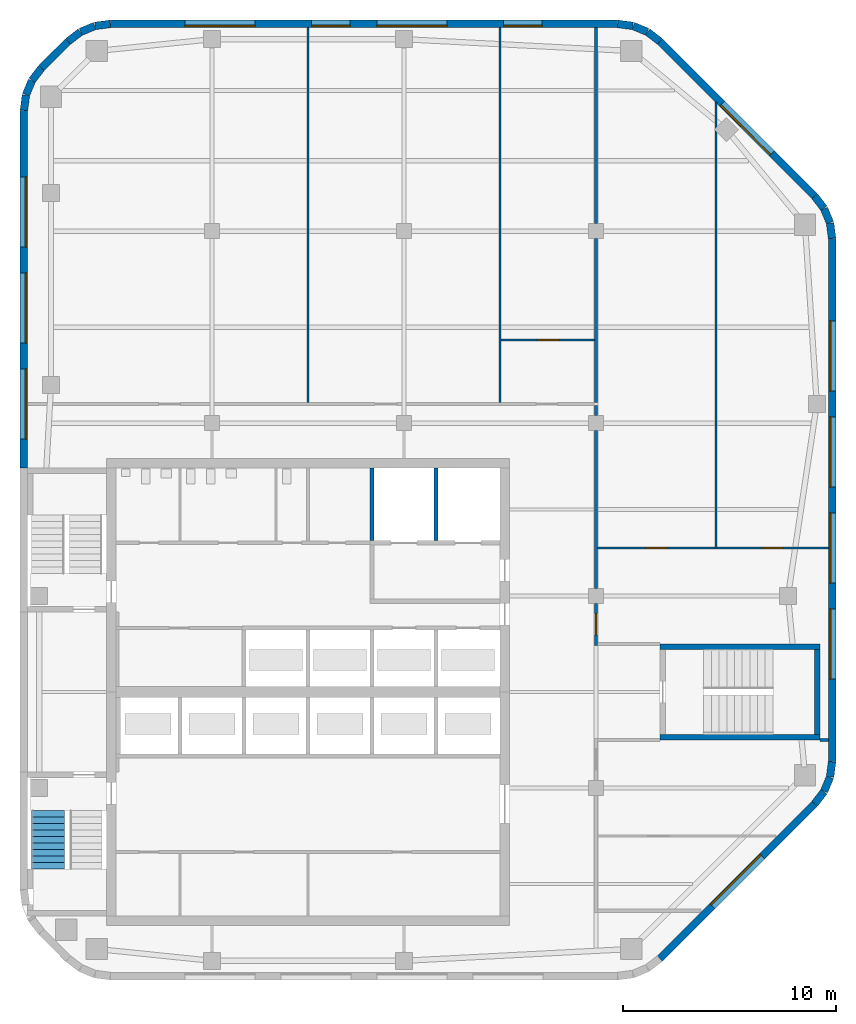
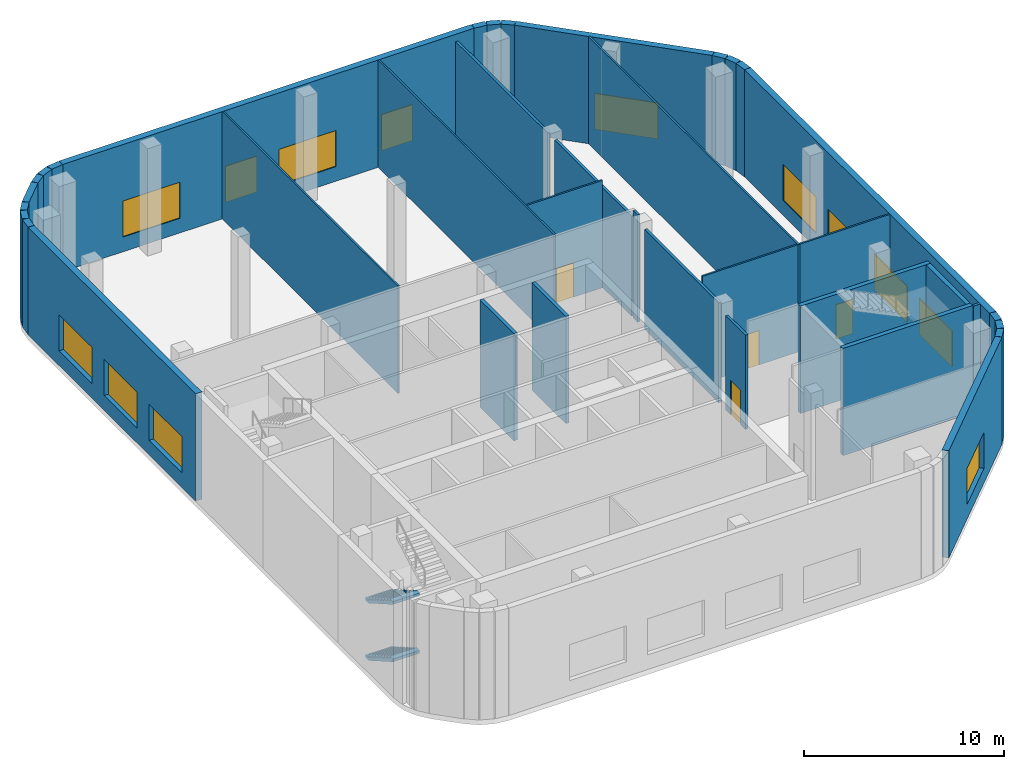
# One storey, part 4 of 8: 38 walls, 13 windows, 4 doors, 2 stair flights, 17 openings, 1 element without a shape of its own.
"""IFC4 building model written with IfcOpenShell, lengths in metres."""

from ifc_helpers import new_model, si_unit, direction, frame, frame_2d, origin, place, context, subcontext, project, spatial, polyline, rectangle, outline, extrude, material, layer, layer_set, type_object, element, fill, aggregate, save


model = new_model("IFC4")

# Units and contexts
model_context = context("Model", 3, precision=1e-05, world=origin(), true_north=direction((0.0, 1.0)))
body_context = subcontext(model_context, "Body", "Model", "MODEL_VIEW")
ifc_project = project(units=[si_unit("LENGTHUNIT", "METRE"), si_unit("AREAUNIT", "SQUARE_METRE"), si_unit("VOLUMEUNIT", "CUBIC_METRE"), si_unit("PLANEANGLEUNIT", "RADIAN"), si_unit("MASSUNIT", "GRAM", prefix="KILO")], contexts=[model_context])

# Site, building, storey
site_placement = place(None, origin())
site = spatial("IfcSite", under=ifc_project, at=site_placement, CompositionType="ELEMENT")
building_placement = place(site_placement, origin())
building = spatial("IfcBuilding", under=site, at=building_placement, Name="Cinnabar Reach Civic Tower", CompositionType="ELEMENT")
storey_placement = place(building_placement, frame((0.0, 0.0, 291.0)))
storey = spatial("IfcBuildingStorey", under=building, at=storey_placement, Name="L69", CompositionType="ELEMENT", Elevation=291.0)

# Walls
ifc_material_1 = material(Name="Facing brick with insulated backing", Category="masonry")
ifc_layer_1 = layer(ifc_material_1, 0.36)
ifc_layer_set_1 = layer_set([ifc_layer_1], Name="Brick corner wall")
wall_type_1 = type_object("IfcWallType", Name="Brick corner wall", PredefinedType="STANDARD", material=ifc_layer_set_1)
wall_1_placement = place(storey_placement, frame((37.2498, 26.2587, 0.0), z_axis=(0.0, 0.0, 1.0), x_axis=(0.608802368033, 0.793321924995, 0.0)))
element("IfcWall", 1, at=wall_1_placement, inside=storey, type_object=wall_type_1, Name="Brick corner wall", PredefinedType="STANDARD", context=body_context, shape_type="SweptSolid", body=[
    extrude(rectangle(XDim=0.7132, YDim=0.36, at=frame_2d((0.3566, 0.0))), origin(), (0.0, 0.0, 1.0), 6.55),
])
for number, where, z_axis, x_axis, name in (
    (2, (37.6952, 26.8439, 0.0), (0.0, 0.0, 1.0), (0.382702709855, 0.923871547278, 0.0), "Brick corner wall"),
    (3, (37.9739, 27.5244, 0.0), (0.0, 0.0, 1.0), (0.13055608231, 0.99144092581, 0.0), "Brick corner wall"),
    (4, (38.067, 52.7686, 0.0), (0.0, 0.0, 1.0), (-0.13055608231, 0.99144092581, 0.0), "Brick corner wall"),
    (5, (37.9681, 53.4973, 0.0), (0.0, 0.0, 1.0), (-0.382702709855, 0.923871547278, 0.0), "Brick corner wall"),
):
    element("IfcWall", number, at=place(storey_placement, frame(where, z_axis=z_axis, x_axis=x_axis)), inside=storey, type_object=wall_type_1, Name=name, PredefinedType="STANDARD", context=body_context, shape_type="SweptSolid", body=[
        extrude(rectangle(XDim=0.7131, YDim=0.36, at=frame_2d((0.3565, 0.0))), origin(), (0.0, 0.0, 1.0), 6.55),
    ])
for number, where, z_axis, x_axis, name in (
    (6, (37.684, 54.1755, 0.0), (0.0, 0.0, 1.0), (-0.608802368033, 0.793321924995, 0.0), "Brick corner wall"),
    (7, (29.9913, 61.9998, 0.0), (0.0, 0.0, 1.0), (-0.793321924995, 0.608802368033, 0.0), "Brick corner wall"),
):
    element("IfcWall", number, at=place(storey_placement, frame(where, z_axis=z_axis, x_axis=x_axis)), inside=storey, type_object=wall_type_1, Name=name, PredefinedType="STANDARD", context=body_context, shape_type="SweptSolid", body=[
        extrude(rectangle(XDim=0.7132, YDim=0.36, at=frame_2d((0.3566, 0.0))), origin(), (0.0, 0.0, 1.0), 6.55),
    ])
for number, where, z_axis, x_axis, name in (
    (8, (29.4061, 62.4452, 0.0), (0.0, 0.0, 1.0), (-0.923871547278, 0.382702709855, 0.0), "Brick corner wall"),
    (9, (28.7256, 62.7239, 0.0), (0.0, 0.0, 1.0), (-0.99144092581, 0.13055608231, 0.0), "Brick corner wall"),
    (10, (4.2314, 62.817, 0.0), (0.0, 0.0, 1.0), (-0.99144092581, -0.13055608231, 0.0), "Brick corner wall"),
    (11, (3.5027, 62.7181, 0.0), (0.0, 0.0, 1.0), (-0.923871547278, -0.382702709855, 0.0), "Brick corner wall"),
):
    element("IfcWall", number, at=place(storey_placement, frame(where, z_axis=z_axis, x_axis=x_axis)), inside=storey, type_object=wall_type_1, Name=name, PredefinedType="STANDARD", context=body_context, shape_type="SweptSolid", body=[
        extrude(rectangle(XDim=0.7131, YDim=0.36, at=frame_2d((0.3565, 0.0))), origin(), (0.0, 0.0, 1.0), 6.55),
    ])
for number, where, z_axis, x_axis, name in (
    (12, (2.8245, 62.434, 0.0), (0.0, 0.0, 1.0), (-0.793321924995, -0.608802368033, 0.0), "Brick corner wall"),
    (13, (1.0002, 60.7413, 0.0), (0.0, 0.0, 1.0), (-0.608802368033, -0.793321924995, 0.0), "Brick corner wall"),
):
    element("IfcWall", number, at=place(storey_placement, frame(where, z_axis=z_axis, x_axis=x_axis)), inside=storey, type_object=wall_type_1, Name=name, PredefinedType="STANDARD", context=body_context, shape_type="SweptSolid", body=[
        extrude(rectangle(XDim=0.7132, YDim=0.36, at=frame_2d((0.3566, 0.0))), origin(), (0.0, 0.0, 1.0), 6.55),
    ])
for number, where, z_axis, x_axis, name in (
    (14, (0.5548, 60.1561, 0.0), (0.0, 0.0, 1.0), (-0.382702709855, -0.923871547278, 0.0), "Brick corner wall"),
    (15, (0.2761, 59.4756, 0.0), (0.0, 0.0, 1.0), (-0.13055608231, -0.99144092581, 0.0), "Brick corner wall"),
):
    element("IfcWall", number, at=place(storey_placement, frame(where, z_axis=z_axis, x_axis=x_axis)), inside=storey, type_object=wall_type_1, Name=name, PredefinedType="STANDARD", context=body_context, shape_type="SweptSolid", body=[
        extrude(rectangle(XDim=0.7131, YDim=0.36, at=frame_2d((0.3565, 0.0))), origin(), (0.0, 0.0, 1.0), 6.55),
    ])

# Wall, opening, window
ifc_layer_2 = layer(ifc_material_1, 0.36)
ifc_layer_set_2 = layer_set([ifc_layer_2], Name="Brick pier and spandrel wall")
wall_type_2 = type_object("IfcWallType", Name="Brick pier and spandrel wall", PredefinedType="STANDARD", material=ifc_layer_set_2)
wall_2_placement = place(storey_placement, frame((30.0014, 19.006, 0.0), z_axis=(0.0, 0.0, 1.0), x_axis=(0.707106781187, 0.707106781187, 0.0)))
wall_2 = element("IfcWall", 16, at=wall_2_placement, inside=storey, type_object=wall_type_2, Name="Brick facade wall", PredefinedType="STANDARD", context=body_context, shape_type="SweptSolid", body=[
    extrude(rectangle(XDim=10.2426, YDim=0.36, at=frame_2d((5.1213, 0.0))), origin(), (0.0, 0.0, 1.0), 6.55),
])
opening_1_placement = place(wall_2_placement, frame((3.4713, 0.0, 0.9)))
opening_1 = element("IfcOpeningElement", 17, at=opening_1_placement, cuts=wall_2, Name="Opening W2337", PredefinedType="OPENING", context=body_context, shape_type="SweptSolid", body=[
    extrude(rectangle(XDim=3.3, YDim=2.2, at=frame_2d((1.65, 1.1))), frame((0.0, 0.19, 0.0), z_axis=(0.0, -1.0, 0.0), x_axis=(1.0, 0.0, 0.0)), (0.0, 0.0, 1.0), 0.38),
])
ifc_material_2 = material(Name="Clear double glazing in aluminium frame", Category="aluminium")
window_type_1 = type_object("IfcWindowType", Name="Deep-set window B", PartitioningType="SINGLE_PANEL", PredefinedType="WINDOW", material=ifc_material_2)
window_1_placement = place(opening_1_placement, origin())
window_1 = element("IfcWindow", 18, at=window_1_placement, inside=storey, type_object=window_type_1, Name="Window southeast face", OverallHeight=2.2, OverallWidth=3.3, PartitioningType="SINGLE_PANEL", PredefinedType="WINDOW", context=body_context, shape_type="SweptSolid", body=[
    extrude(rectangle(XDim=3.3, YDim=2.2, at=frame_2d((1.65, 1.1))), frame((0.0, 0.13, 0.0), z_axis=(0.0, -1.0, 0.0), x_axis=(1.0, 0.0, 0.0)), (0.0, 0.0, 1.0), 0.06),
])
fill(opening_1, window_1)

# Wall, openings, windows
wall_3_placement = place(storey_placement, frame((38.07, 28.2426, 0.0), z_axis=(0.0, 0.0, 1.0), x_axis=(0.0, 1.0, 0.0)))
wall_3 = element("IfcWall", 19, at=wall_3_placement, inside=storey, type_object=wall_type_2, Name="Brick facade wall", PredefinedType="STANDARD", context=body_context, shape_type="SweptSolid", body=[
    extrude(rectangle(XDim=24.5148, YDim=0.36, at=frame_2d((12.2574, 0.0))), origin(), (0.0, 0.0, 1.0), 6.55),
])
opening_2_placement = place(wall_3_placement, frame((3.8574, 0.0, 0.9)))
opening_2 = element("IfcOpeningElement", 20, at=opening_2_placement, cuts=wall_3, Name="Opening W2338", PredefinedType="OPENING", context=body_context, shape_type="SweptSolid", body=[
    extrude(rectangle(XDim=3.3, YDim=2.2, at=frame_2d((1.65, 1.1))), frame((0.0, 0.19, 0.0), z_axis=(0.0, -1.0, 0.0), x_axis=(1.0, 0.0, 0.0)), (0.0, 0.0, 1.0), 0.38),
])
opening_3_placement = place(wall_3_placement, frame((8.3574, 0.0, 0.9)))
opening_3 = element("IfcOpeningElement", 21, at=opening_3_placement, cuts=wall_3, Name="Opening W2339", PredefinedType="OPENING", context=body_context, shape_type="SweptSolid", body=[
    extrude(rectangle(XDim=3.3, YDim=2.2, at=frame_2d((1.65, 1.1))), frame((0.0, 0.19, 0.0), z_axis=(0.0, -1.0, 0.0), x_axis=(1.0, 0.0, 0.0)), (0.0, 0.0, 1.0), 0.38),
])
opening_4_placement = place(wall_3_placement, frame((12.8574, 0.0, 0.9)))
opening_4 = element("IfcOpeningElement", 22, at=opening_4_placement, cuts=wall_3, Name="Opening W2340", PredefinedType="OPENING", context=body_context, shape_type="SweptSolid", body=[
    extrude(rectangle(XDim=3.3, YDim=2.2, at=frame_2d((1.65, 1.1))), frame((0.0, 0.19, 0.0), z_axis=(0.0, -1.0, 0.0), x_axis=(1.0, 0.0, 0.0)), (0.0, 0.0, 1.0), 0.38),
])
opening_5_placement = place(wall_3_placement, frame((17.3574, 0.0, 0.9)))
opening_5 = element("IfcOpeningElement", 23, at=opening_5_placement, cuts=wall_3, Name="Opening W2341", PredefinedType="OPENING", context=body_context, shape_type="SweptSolid", body=[
    extrude(rectangle(XDim=3.3, YDim=2.2, at=frame_2d((1.65, 1.1))), frame((0.0, 0.19, 0.0), z_axis=(0.0, -1.0, 0.0), x_axis=(1.0, 0.0, 0.0)), (0.0, 0.0, 1.0), 0.38),
])
window_2_placement = place(opening_2_placement, origin())
window_2 = element("IfcWindow", 24, at=window_2_placement, inside=storey, type_object=window_type_1, Name="Window east face", OverallHeight=2.2, OverallWidth=3.3, PartitioningType="SINGLE_PANEL", PredefinedType="WINDOW", context=body_context, shape_type="SweptSolid", body=[
    extrude(rectangle(XDim=3.3, YDim=2.2, at=frame_2d((1.65, 1.1))), frame((0.0, 0.13, 0.0), z_axis=(0.0, -1.0, 0.0), x_axis=(1.0, 0.0, 0.0)), (0.0, 0.0, 1.0), 0.06),
])
fill(opening_2, window_2)
window_3_placement = place(opening_3_placement, origin())
window_3 = element("IfcWindow", 25, at=window_3_placement, inside=storey, type_object=window_type_1, Name="Window east face", OverallHeight=2.2, OverallWidth=3.3, PartitioningType="SINGLE_PANEL", PredefinedType="WINDOW", context=body_context, shape_type="SweptSolid", body=[
    extrude(rectangle(XDim=3.3, YDim=2.2, at=frame_2d((1.65, 1.1))), frame((0.0, 0.13, 0.0), z_axis=(0.0, -1.0, 0.0), x_axis=(1.0, 0.0, 0.0)), (0.0, 0.0, 1.0), 0.06),
])
fill(opening_3, window_3)
window_4_placement = place(opening_4_placement, origin())
window_4 = element("IfcWindow", 26, at=window_4_placement, inside=storey, type_object=window_type_1, Name="Window east face", OverallHeight=2.2, OverallWidth=3.3, PartitioningType="SINGLE_PANEL", PredefinedType="WINDOW", context=body_context, shape_type="SweptSolid", body=[
    extrude(rectangle(XDim=3.3, YDim=2.2, at=frame_2d((1.65, 1.1))), frame((0.0, 0.13, 0.0), z_axis=(0.0, -1.0, 0.0), x_axis=(1.0, 0.0, 0.0)), (0.0, 0.0, 1.0), 0.06),
])
fill(opening_4, window_4)
window_5_placement = place(opening_5_placement, origin())
window_5 = element("IfcWindow", 27, at=window_5_placement, inside=storey, type_object=window_type_1, Name="Window east face", OverallHeight=2.2, OverallWidth=3.3, PartitioningType="SINGLE_PANEL", PredefinedType="WINDOW", context=body_context, shape_type="SweptSolid", body=[
    extrude(rectangle(XDim=3.3, YDim=2.2, at=frame_2d((1.65, 1.1))), frame((0.0, 0.13, 0.0), z_axis=(0.0, -1.0, 0.0), x_axis=(1.0, 0.0, 0.0)), (0.0, 0.0, 1.0), 0.06),
])
fill(opening_5, window_5)

# Wall, opening, window
wall_4_placement = place(storey_placement, frame((37.244, 54.7514, 0.0), z_axis=(0.0, 0.0, 1.0), x_axis=(-0.707106781187, 0.707106781187, 0.0)))
wall_4 = element("IfcWall", 28, at=wall_4_placement, inside=storey, type_object=wall_type_2, Name="Brick facade wall", PredefinedType="STANDARD", context=body_context, shape_type="SweptSolid", body=[
    extrude(rectangle(XDim=10.2426, YDim=0.36, at=frame_2d((5.1213, 0.0))), origin(), (0.0, 0.0, 1.0), 6.55),
])
opening_6_placement = place(wall_4_placement, frame((2.8213, 0.0, 0.9)))
opening_6 = element("IfcOpeningElement", 29, at=opening_6_placement, cuts=wall_4, Name="Opening W2342", PredefinedType="OPENING", context=body_context, shape_type="SweptSolid", body=[
    extrude(rectangle(XDim=3.3, YDim=2.2, at=frame_2d((1.65, 1.1))), frame((0.0, 0.19, 0.0), z_axis=(0.0, -1.0, 0.0), x_axis=(1.0, 0.0, 0.0)), (0.0, 0.0, 1.0), 0.38),
])
window_6_placement = place(opening_6_placement, origin())
window_6 = element("IfcWindow", 30, at=window_6_placement, inside=storey, type_object=window_type_1, Name="Window northeast face", OverallHeight=2.2, OverallWidth=3.3, PartitioningType="SINGLE_PANEL", PredefinedType="WINDOW", context=body_context, shape_type="SweptSolid", body=[
    extrude(rectangle(XDim=3.3, YDim=2.2, at=frame_2d((1.65, 1.1))), frame((0.0, 0.13, 0.0), z_axis=(0.0, -1.0, 0.0), x_axis=(1.0, 0.0, 0.0)), (0.0, 0.0, 1.0), 0.06),
])
fill(opening_6, window_6)

# Wall, openings, windows
wall_5_placement = place(storey_placement, frame((28.0074, 62.82, 0.0), z_axis=(0.0, 0.0, 1.0), x_axis=(-1.0, 0.0, 0.0)))
wall_5 = element("IfcWall", 31, at=wall_5_placement, inside=storey, type_object=wall_type_2, Name="Brick facade wall", PredefinedType="STANDARD", context=body_context, shape_type="SweptSolid", body=[
    extrude(rectangle(XDim=23.7648, YDim=0.36, at=frame_2d((11.8824, 0.0))), origin(), (0.0, 0.0, 1.0), 6.55),
])
opening_7_placement = place(wall_5_placement, frame((3.5324, 0.0, 0.9)))
opening_7 = element("IfcOpeningElement", 32, at=opening_7_placement, cuts=wall_5, Name="Opening W2343", PredefinedType="OPENING", context=body_context, shape_type="SweptSolid", body=[
    extrude(rectangle(XDim=1.8, YDim=2.2, at=frame_2d((0.9, 1.1))), frame((0.0, 0.19, 0.0), z_axis=(0.0, -1.0, 0.0), x_axis=(1.0, 0.0, 0.0)), (0.0, 0.0, 1.0), 0.38),
])
opening_8_placement = place(wall_5_placement, frame((7.9824, 0.0, 0.9)))
opening_8 = element("IfcOpeningElement", 33, at=opening_8_placement, cuts=wall_5, Name="Opening W2344", PredefinedType="OPENING", context=body_context, shape_type="SweptSolid", body=[
    extrude(rectangle(XDim=3.3, YDim=2.2, at=frame_2d((1.65, 1.1))), frame((0.0, 0.19, 0.0), z_axis=(0.0, -1.0, 0.0), x_axis=(1.0, 0.0, 0.0)), (0.0, 0.0, 1.0), 0.38),
])
opening_9_placement = place(wall_5_placement, frame((12.5324, 0.0, 0.9)))
opening_9 = element("IfcOpeningElement", 34, at=opening_9_placement, cuts=wall_5, Name="Opening W2345", PredefinedType="OPENING", context=body_context, shape_type="SweptSolid", body=[
    extrude(rectangle(XDim=1.8, YDim=2.2, at=frame_2d((0.9, 1.1))), frame((0.0, 0.19, 0.0), z_axis=(0.0, -1.0, 0.0), x_axis=(1.0, 0.0, 0.0)), (0.0, 0.0, 1.0), 0.38),
])
opening_10_placement = place(wall_5_placement, frame((16.9824, 0.0, 0.9)))
opening_10 = element("IfcOpeningElement", 35, at=opening_10_placement, cuts=wall_5, Name="Opening W2346", PredefinedType="OPENING", context=body_context, shape_type="SweptSolid", body=[
    extrude(rectangle(XDim=3.3, YDim=2.2, at=frame_2d((1.65, 1.1))), frame((0.0, 0.19, 0.0), z_axis=(0.0, -1.0, 0.0), x_axis=(1.0, 0.0, 0.0)), (0.0, 0.0, 1.0), 0.38),
])
window_7_placement = place(opening_8_placement, origin())
window_7 = element("IfcWindow", 36, at=window_7_placement, inside=storey, type_object=window_type_1, Name="Window north face", OverallHeight=2.2, OverallWidth=3.3, PartitioningType="SINGLE_PANEL", PredefinedType="WINDOW", context=body_context, shape_type="SweptSolid", body=[
    extrude(rectangle(XDim=3.3, YDim=2.2, at=frame_2d((1.65, 1.1))), frame((0.0, 0.13, 0.0), z_axis=(0.0, -1.0, 0.0), x_axis=(1.0, 0.0, 0.0)), (0.0, 0.0, 1.0), 0.06),
])
fill(opening_8, window_7)
window_8_placement = place(opening_10_placement, origin())
window_8 = element("IfcWindow", 37, at=window_8_placement, inside=storey, type_object=window_type_1, Name="Window north face", OverallHeight=2.2, OverallWidth=3.3, PartitioningType="SINGLE_PANEL", PredefinedType="WINDOW", context=body_context, shape_type="SweptSolid", body=[
    extrude(rectangle(XDim=3.3, YDim=2.2, at=frame_2d((1.65, 1.1))), frame((0.0, 0.13, 0.0), z_axis=(0.0, -1.0, 0.0), x_axis=(1.0, 0.0, 0.0)), (0.0, 0.0, 1.0), 0.06),
])
fill(opening_10, window_8)
window_type_2 = type_object("IfcWindowType", Name="Deep-set window E", PartitioningType="SINGLE_PANEL", PredefinedType="WINDOW", material=ifc_material_2)
window_9_placement = place(opening_7_placement, origin())
window_9 = element("IfcWindow", 38, at=window_9_placement, inside=storey, type_object=window_type_2, Name="Window north face", OverallHeight=2.2, OverallWidth=1.8, PartitioningType="SINGLE_PANEL", PredefinedType="WINDOW", context=body_context, shape_type="SweptSolid", body=[
    extrude(rectangle(XDim=1.8, YDim=2.2, at=frame_2d((0.9, 1.1))), frame((0.0, 0.13, 0.0), z_axis=(0.0, -1.0, 0.0), x_axis=(1.0, 0.0, 0.0)), (0.0, 0.0, 1.0), 0.06),
])
fill(opening_7, window_9)
window_10_placement = place(opening_9_placement, origin())
window_10 = element("IfcWindow", 39, at=window_10_placement, inside=storey, type_object=window_type_2, Name="Window north face", OverallHeight=2.2, OverallWidth=1.8, PartitioningType="SINGLE_PANEL", PredefinedType="WINDOW", context=body_context, shape_type="SweptSolid", body=[
    extrude(rectangle(XDim=1.8, YDim=2.2, at=frame_2d((0.9, 1.1))), frame((0.0, 0.13, 0.0), z_axis=(0.0, -1.0, 0.0), x_axis=(1.0, 0.0, 0.0)), (0.0, 0.0, 1.0), 0.06),
])
fill(opening_9, window_10)

# Wall
wall_6_placement = place(storey_placement, frame((2.2486, 61.994, 0.0), z_axis=(0.0, 0.0, 1.0), x_axis=(-0.707106781187, -0.707106781187, 0.0)))
element("IfcWall", 40, at=wall_6_placement, inside=storey, type_object=wall_type_2, Name="Brick facade wall", PredefinedType="STANDARD", context=body_context, shape_type="SweptSolid", body=[
    extrude(rectangle(XDim=1.7573, YDim=0.36, at=frame_2d((0.8787, 0.0))), origin(), (0.0, 0.0, 1.0), 6.55),
])

# Wall, openings, windows
wall_7_placement = place(storey_placement, frame((0.18, 58.7574, 0.0), z_axis=(0.0, 0.0, 1.0), x_axis=(0.0, -1.0, 0.0)))
wall_7 = element("IfcWall", 41, at=wall_7_placement, inside=storey, type_object=wall_type_2, Name="Brick facade wall", PredefinedType="STANDARD", context=body_context, shape_type="SweptSolid", body=[
    extrude(rectangle(XDim=16.7574, YDim=0.36, at=frame_2d((8.3787, 0.0))), origin(), (0.0, 0.0, 1.0), 6.55),
])
opening_11_placement = place(wall_7_placement, frame((3.1074, 0.0, 0.9)))
opening_11 = element("IfcOpeningElement", 42, at=opening_11_placement, cuts=wall_7, Name="Opening W2347", PredefinedType="OPENING", context=body_context, shape_type="SweptSolid", body=[
    extrude(rectangle(XDim=3.3, YDim=2.2, at=frame_2d((1.65, 1.1))), frame((0.0, 0.19, 0.0), z_axis=(0.0, -1.0, 0.0), x_axis=(1.0, 0.0, 0.0)), (0.0, 0.0, 1.0), 0.38),
])
opening_12_placement = place(wall_7_placement, frame((7.6074, 0.0, 0.9)))
opening_12 = element("IfcOpeningElement", 43, at=opening_12_placement, cuts=wall_7, Name="Opening W2348", PredefinedType="OPENING", context=body_context, shape_type="SweptSolid", body=[
    extrude(rectangle(XDim=3.3, YDim=2.2, at=frame_2d((1.65, 1.1))), frame((0.0, 0.19, 0.0), z_axis=(0.0, -1.0, 0.0), x_axis=(1.0, 0.0, 0.0)), (0.0, 0.0, 1.0), 0.38),
])
opening_13_placement = place(wall_7_placement, frame((12.1074, 0.0, 0.9)))
opening_13 = element("IfcOpeningElement", 44, at=opening_13_placement, cuts=wall_7, Name="Opening W2349", PredefinedType="OPENING", context=body_context, shape_type="SweptSolid", body=[
    extrude(rectangle(XDim=3.3, YDim=2.2, at=frame_2d((1.65, 1.1))), frame((0.0, 0.19, 0.0), z_axis=(0.0, -1.0, 0.0), x_axis=(1.0, 0.0, 0.0)), (0.0, 0.0, 1.0), 0.38),
])
window_11_placement = place(opening_11_placement, origin())
window_11 = element("IfcWindow", 45, at=window_11_placement, inside=storey, type_object=window_type_1, Name="Window west face", OverallHeight=2.2, OverallWidth=3.3, PartitioningType="SINGLE_PANEL", PredefinedType="WINDOW", context=body_context, shape_type="SweptSolid", body=[
    extrude(rectangle(XDim=3.3, YDim=2.2, at=frame_2d((1.65, 1.1))), frame((0.0, 0.13, 0.0), z_axis=(0.0, -1.0, 0.0), x_axis=(1.0, 0.0, 0.0)), (0.0, 0.0, 1.0), 0.06),
])
fill(opening_11, window_11)
window_12_placement = place(opening_12_placement, origin())
window_12 = element("IfcWindow", 46, at=window_12_placement, inside=storey, type_object=window_type_1, Name="Window west face", OverallHeight=2.2, OverallWidth=3.3, PartitioningType="SINGLE_PANEL", PredefinedType="WINDOW", context=body_context, shape_type="SweptSolid", body=[
    extrude(rectangle(XDim=3.3, YDim=2.2, at=frame_2d((1.65, 1.1))), frame((0.0, 0.13, 0.0), z_axis=(0.0, -1.0, 0.0), x_axis=(1.0, 0.0, 0.0)), (0.0, 0.0, 1.0), 0.06),
])
fill(opening_12, window_12)
window_13_placement = place(opening_13_placement, origin())
window_13 = element("IfcWindow", 47, at=window_13_placement, inside=storey, type_object=window_type_1, Name="Window west face", OverallHeight=2.2, OverallWidth=3.3, PartitioningType="SINGLE_PANEL", PredefinedType="WINDOW", context=body_context, shape_type="SweptSolid", body=[
    extrude(rectangle(XDim=3.3, YDim=2.2, at=frame_2d((1.65, 1.1))), frame((0.0, 0.13, 0.0), z_axis=(0.0, -1.0, 0.0), x_axis=(1.0, 0.0, 0.0)), (0.0, 0.0, 1.0), 0.06),
])
fill(opening_13, window_13)

# Wall, opening, door
ifc_material_3 = material(Name="Gypsum board on steel studs, double layer", Category="steel")
ifc_layer_3 = layer(ifc_material_3, 0.15)
ifc_layer_set_3 = layer_set([ifc_layer_3], Name="Corridor wall 150 T1")
wall_type_3 = type_object("IfcWallType", Name="Corridor wall 150 T1", PredefinedType="PARTITIONING", material=ifc_layer_set_3)
wall_8_placement = place(storey_placement, frame((27.0, 33.675, 0.0), z_axis=(0.0, 0.0, 1.0), x_axis=(0.0, 1.0, 0.0)))
wall_8 = element("IfcWall", 48, at=wall_8_placement, inside=storey, type_object=wall_type_3, Name="Corridor wall 21", PredefinedType="PARTITIONING", context=body_context, shape_type="SweptSolid", body=[
    extrude(rectangle(XDim=1.975, YDim=0.15, at=frame_2d((0.9875, 0.0))), origin(), (0.0, 0.0, 1.0), 5.75),
])
opening_14_placement = place(wall_8_placement, frame((0.5, 0.0, 0.0)))
opening_14 = element("IfcOpeningElement", 49, at=opening_14_placement, cuts=wall_8, Name="Opening D5751", PredefinedType="OPENING", context=body_context, shape_type="SweptSolid", body=[
    extrude(rectangle(XDim=1.0, YDim=2.1, at=frame_2d((0.5, 1.05))), frame((0.0, 0.085, 0.0), z_axis=(0.0, -1.0, 0.0), x_axis=(1.0, 0.0, 0.0)), (0.0, 0.0, 1.0), 0.17),
])
ifc_material_4 = material(Name="Timber door leaf in steel frame", Category="steel")
door_type = type_object("IfcDoorType", Name="Plant room door 1000 x 2100 T1", OperationType="SINGLE_SWING_LEFT", PredefinedType="DOOR", material=ifc_material_4)
door_1_placement = place(opening_14_placement, frame((1.0, 0.0, 0.0), z_axis=(0.0, 0.0, 1.0), x_axis=(-1.0, 0.0, 0.0)))
door_1 = element("IfcDoor", 50, at=door_1_placement, inside=storey, type_object=door_type, Name="Door D5751", OperationType="SINGLE_SWING_RIGHT", OverallHeight=2.1, OverallWidth=1.0, PredefinedType="DOOR", context=body_context, shape_type="SweptSolid", body=[
    extrude(rectangle(XDim=1.0, YDim=2.1, at=frame_2d((0.5, 1.05))), frame((0.0, 0.025, 0.0), z_axis=(0.0, -1.0, 0.0), x_axis=(1.0, 0.0, 0.0)), (0.0, 0.0, 1.0), 0.05),
])
fill(opening_14, door_1)

# Walls
wall_9_placement = place(storey_placement, frame((27.0, 36.35, 0.0), z_axis=(0.0, 0.0, 1.0), x_axis=(0.0, 1.0, 0.0)))
element("IfcWall", 51, at=wall_9_placement, inside=storey, type_object=wall_type_3, Name="Corridor wall 22", PredefinedType="PARTITIONING", context=body_context, shape_type="SweptSolid", body=[
    extrude(rectangle(XDim=7.4, YDim=0.15, at=frame_2d((3.7, 0.0))), origin(), (0.0, 0.0, 1.0), 6.1),
])
wall_10_placement = place(storey_placement, frame((27.0, 44.45, 0.0), z_axis=(0.0, 0.0, 1.0), x_axis=(0.0, 1.0, 0.0)))
element("IfcWall", 52, at=wall_10_placement, inside=storey, type_object=wall_type_3, Name="Corridor wall 23", PredefinedType="PARTITIONING", context=body_context, shape_type="SweptSolid", body=[
    extrude(rectangle(XDim=0.475, YDim=0.15, at=frame_2d((0.2375, 0.0))), origin(), (0.0, 0.0, 1.0), 6.55),
])
ifc_material_5 = material(Name="Blockwork", Category="masonry")
ifc_layer_4 = layer(ifc_material_5, 0.2)
ifc_layer_set_4 = layer_set([ifc_layer_4], Name="Lift shaft wall 200 T1")
wall_type_4 = type_object("IfcWallType", Name="Lift shaft wall 200 T1", PredefinedType="PARTITIONING", material=ifc_layer_set_4)
for number, where, z_axis, x_axis, name in (
    (53, (16.5, 38.6, 0.0), (0.0, 0.0, 1.0), (0.0, 1.0, 0.0), "Lift shaft wall 14"),
    (54, (19.5, 38.6, 0.0), (0.0, 0.0, 1.0), (0.0, 1.0, 0.0), "Lift shaft wall 15"),
):
    element("IfcWall", number, at=place(storey_placement, frame(where, z_axis=z_axis, x_axis=x_axis)), inside=storey, type_object=wall_type_4, Name=name, PredefinedType="PARTITIONING", context=body_context, shape_type="SweptSolid", body=[
        extrude(rectangle(XDim=3.4, YDim=0.2, at=frame_2d((1.7, 0.0))), origin(), (0.0, 0.0, 1.0), 6.55),
    ])
ifc_material_6 = material(Name="Gypsum board on steel studs", Category="steel")
ifc_layer_5 = layer(ifc_material_6, 0.1)
ifc_layer_set_5 = layer_set([ifc_layer_5], Name="Partition wall 100 T1")
wall_type_5 = type_object("IfcWallType", Name="Partition wall 100 T1", PredefinedType="PARTITIONING", material=ifc_layer_set_5)
wall_11_placement = place(storey_placement, frame((32.625, 38.2, 0.0), z_axis=(0.0, 0.0, 1.0), x_axis=(0.0, 1.0, 0.0)))
element("IfcWall", 55, at=wall_11_placement, inside=storey, type_object=wall_type_5, Name="Partition wall 37", PredefinedType="PARTITIONING", context=body_context, shape_type="SweptSolid", body=[
    extrude(rectangle(XDim=20.9659, YDim=0.1, at=frame_2d((10.483, 0.0))), origin(), (0.0, 0.0, 1.0), 6.55),
])
for number, where, z_axis, x_axis, name in (
    (56, (13.5, 45.075, 0.0), (0.0, 0.0, 1.0), (0.0, 1.0, 0.0), "Partition wall 38"),
    (57, (22.5, 45.075, 0.0), (0.0, 0.0, 1.0), (0.0, 1.0, 0.0), "Partition wall 39"),
):
    element("IfcWall", number, at=place(storey_placement, frame(where, z_axis=z_axis, x_axis=x_axis)), inside=storey, type_object=wall_type_5, Name=name, PredefinedType="PARTITIONING", context=body_context, shape_type="SweptSolid", body=[
        extrude(rectangle(XDim=17.565, YDim=0.1, at=frame_2d((8.7825, 0.0))), origin(), (0.0, 0.0, 1.0), 6.55),
    ])

# Wall, opening, door
wall_12_placement = place(storey_placement, frame((27.075, 38.25, 0.0), z_axis=(0.0, 0.0, 1.0), x_axis=(1.0, 0.0, 0.0)))
wall_12 = element("IfcWall", 58, at=wall_12_placement, inside=storey, type_object=wall_type_5, Name="Partition wall 40", PredefinedType="PARTITIONING", context=body_context, shape_type="SweptSolid", body=[
    extrude(rectangle(XDim=5.5, YDim=0.1, at=frame_2d((2.75, 0.0))), origin(), (0.0, 0.0, 1.0), 6.55),
])
opening_15_placement = place(wall_12_placement, frame((2.25, 0.0, 0.0)))
opening_15 = element("IfcOpeningElement", 59, at=opening_15_placement, cuts=wall_12, Name="Opening D5752", PredefinedType="OPENING", context=body_context, shape_type="SweptSolid", body=[
    extrude(rectangle(XDim=1.0, YDim=2.1, at=frame_2d((0.5, 1.05))), frame((0.0, 0.06, 0.0), z_axis=(0.0, -1.0, 0.0), x_axis=(1.0, 0.0, 0.0)), (0.0, 0.0, 1.0), 0.12),
])
door_2_placement = place(opening_15_placement, frame((1.0, 0.0, 0.0), z_axis=(0.0, 0.0, 1.0), x_axis=(-1.0, 0.0, 0.0)))
door_2 = element("IfcDoor", 60, at=door_2_placement, inside=storey, type_object=door_type, Name="Door D5752", OperationType="SINGLE_SWING_RIGHT", OverallHeight=2.1, OverallWidth=1.0, PredefinedType="DOOR", context=body_context, shape_type="SweptSolid", body=[
    extrude(rectangle(XDim=1.0, YDim=2.1, at=frame_2d((0.5, 1.05))), frame((0.0, 0.025, 0.0), z_axis=(0.0, -1.0, 0.0), x_axis=(1.0, 0.0, 0.0)), (0.0, 0.0, 1.0), 0.05),
])
fill(opening_15, door_2)

wall_13_placement = place(storey_placement, frame((32.675, 38.25, 0.0), z_axis=(0.0, 0.0, 1.0), x_axis=(1.0, 0.0, 0.0)))
wall_13 = element("IfcWall", 61, at=wall_13_placement, inside=storey, type_object=wall_type_5, Name="Partition wall 41", PredefinedType="PARTITIONING", context=body_context, shape_type="SweptSolid", body=[
    extrude(rectangle(XDim=5.215, YDim=0.1, at=frame_2d((2.6075, 0.0))), origin(), (0.0, 0.0, 1.0), 6.55),
])
opening_16_placement = place(wall_13_placement, frame((2.1, 0.0, 0.0)))
opening_16 = element("IfcOpeningElement", 62, at=opening_16_placement, cuts=wall_13, Name="Opening D5753", PredefinedType="OPENING", context=body_context, shape_type="SweptSolid", body=[
    extrude(rectangle(XDim=1.0, YDim=2.1, at=frame_2d((0.5, 1.05))), frame((0.0, 0.06, 0.0), z_axis=(0.0, -1.0, 0.0), x_axis=(1.0, 0.0, 0.0)), (0.0, 0.0, 1.0), 0.12),
])
door_3_placement = place(opening_16_placement, frame((1.0, 0.0, 0.0), z_axis=(0.0, 0.0, 1.0), x_axis=(-1.0, 0.0, 0.0)))
door_3 = element("IfcDoor", 63, at=door_3_placement, inside=storey, type_object=door_type, Name="Door D5753", OperationType="SINGLE_SWING_RIGHT", OverallHeight=2.1, OverallWidth=1.0, PredefinedType="DOOR", context=body_context, shape_type="SweptSolid", body=[
    extrude(rectangle(XDim=1.0, YDim=2.1, at=frame_2d((0.5, 1.05))), frame((0.0, 0.025, 0.0), z_axis=(0.0, -1.0, 0.0), x_axis=(1.0, 0.0, 0.0)), (0.0, 0.0, 1.0), 0.05),
])
fill(opening_16, door_3)

wall_14_placement = place(storey_placement, frame((22.55, 48.0, 0.0), z_axis=(0.0, 0.0, 1.0), x_axis=(1.0, 0.0, 0.0)))
wall_14 = element("IfcWall", 64, at=wall_14_placement, inside=storey, type_object=wall_type_5, Name="Partition wall 43", PredefinedType="PARTITIONING", context=body_context, shape_type="SweptSolid", body=[
    extrude(rectangle(XDim=4.375, YDim=0.1, at=frame_2d((2.1875, 0.0))), origin(), (0.0, 0.0, 1.0), 6.55),
])
opening_17_placement = place(wall_14_placement, frame((1.7, 0.0, 0.0)))
opening_17 = element("IfcOpeningElement", 65, at=opening_17_placement, cuts=wall_14, Name="Opening D5759", PredefinedType="OPENING", context=body_context, shape_type="SweptSolid", body=[
    extrude(rectangle(XDim=1.0, YDim=2.1, at=frame_2d((0.5, 1.05))), frame((0.0, 0.06, 0.0), z_axis=(0.0, -1.0, 0.0), x_axis=(1.0, 0.0, 0.0)), (0.0, 0.0, 1.0), 0.12),
])
door_4_placement = place(opening_17_placement, frame((1.0, 0.0, 0.0), z_axis=(0.0, 0.0, 1.0), x_axis=(-1.0, 0.0, 0.0)))
door_4 = element("IfcDoor", 66, at=door_4_placement, inside=storey, type_object=door_type, Name="Door D5759", OperationType="SINGLE_SWING_LEFT", OverallHeight=2.1, OverallWidth=1.0, PredefinedType="DOOR", context=body_context, shape_type="SweptSolid", body=[
    extrude(rectangle(XDim=1.0, YDim=2.1, at=frame_2d((0.5, 1.05))), frame((0.0, 0.025, 0.0), z_axis=(0.0, -1.0, 0.0), x_axis=(1.0, 0.0, 0.0)), (0.0, 0.0, 1.0), 0.05),
])
fill(opening_17, door_4)

# Walls
ifc_material_7 = material(Name="Concrete C60", Category="concrete")
ifc_layer_6 = layer(ifc_material_7, 0.25)
ifc_layer_set_6 = layer_set([ifc_layer_6], Name="Stair shaft wall 250 EI 120")
wall_type_6 = type_object("IfcWallType", Name="Stair shaft wall 250 EI 120", PredefinedType="SOLIDWALL", material=ifc_layer_set_6)
for number, where, z_axis, x_axis, name in (
    (67, (30.0, 29.375, 0.0), (0.0, 0.0, 1.0), (1.0, 0.0, 0.0), "Stair shaft wall T1-S3 L69"),
    (68, (37.5, 33.625, 0.0), (0.0, 0.0, 1.0), (-1.0, 0.0, 0.0), "Stair shaft wall T1-S3 L69"),
):
    element("IfcWall", number, at=place(storey_placement, frame(where, z_axis=z_axis, x_axis=x_axis)), inside=storey, type_object=wall_type_6, Name=name, PredefinedType="SOLIDWALL", context=body_context, shape_type="SweptSolid", body=[
        extrude(rectangle(XDim=7.5, YDim=0.25, at=frame_2d((3.75, 0.0))), origin(), (0.0, 0.0, 1.0), 6.55),
    ])
wall_15_placement = place(storey_placement, frame((37.375, 29.5, 0.0), z_axis=(0.0, 0.0, 1.0), x_axis=(0.0, 1.0, 0.0)))
element("IfcWall", 69, at=wall_15_placement, inside=storey, type_object=wall_type_6, Name="Stair shaft wall T1-S3 L69", PredefinedType="SOLIDWALL", context=body_context, shape_type="SweptSolid", body=[
    extrude(rectangle(XDim=4.0, YDim=0.25, at=frame_2d((2.0, 0.0))), origin(), (0.0, 0.0, 1.0), 6.55),
])
ifc_layer_7 = layer(ifc_material_3, 0.15)
ifc_layer_set_7 = layer_set([ifc_layer_7], Name="Tenancy separating wall 150 T1")
wall_type_7 = type_object("IfcWallType", Name="Tenancy separating wall 150 T1", PredefinedType="PARTITIONING", material=ifc_layer_set_7)
wall_16_placement = place(storey_placement, frame((27.0, 45.075, 0.0), z_axis=(0.0, 0.0, 1.0), x_axis=(0.0, 1.0, 0.0)))
element("IfcWall", 70, at=wall_16_placement, inside=storey, type_object=wall_type_7, Name="Tenancy separating wall 34", PredefinedType="PARTITIONING", context=body_context, shape_type="SweptSolid", body=[
    extrude(rectangle(XDim=7.675, YDim=0.15, at=frame_2d((3.8375, 0.0))), origin(), (0.0, 0.0, 1.0), 6.1),
])
wall_17_placement = place(storey_placement, frame((27.0, 53.45, 0.0), z_axis=(0.0, 0.0, 1.0), x_axis=(0.0, 1.0, 0.0)))
element("IfcWall", 71, at=wall_17_placement, inside=storey, type_object=wall_type_7, Name="Tenancy separating wall 35", PredefinedType="PARTITIONING", context=body_context, shape_type="SweptSolid", body=[
    extrude(rectangle(XDim=9.19, YDim=0.15, at=frame_2d((4.595, 0.0))), origin(), (0.0, 0.0, 1.0), 6.1),
])
wall_18_placement = place(storey_placement, frame((37.5, 29.25, 0.0), z_axis=(0.0, 0.0, 1.0), x_axis=(1.0, 0.0, 0.0)))
element("IfcWall", 72, at=wall_18_placement, inside=storey, type_object=wall_type_7, Name="Tenancy separating wall 36", PredefinedType="PARTITIONING", context=body_context, shape_type="SweptSolid", body=[
    extrude(rectangle(XDim=0.39, YDim=0.15, at=frame_2d((0.195, 0.0))), origin(), (0.0, 0.0, 1.0), 6.55),
])

# Stair, stair flights
ifc_material_8 = material(Name="Concrete C40/50", Category="concrete")
stair_type = type_object("IfcStairType", Name="T1 Exit stair, double return", PredefinedType="DOUBLE_RETURN_STAIR", material=ifc_material_8)
stair_placement = place(storey_placement, origin())
stair = element("IfcStair", 73, at=stair_placement, inside=storey, type_object=stair_type, Name="Stair T1-S1", PredefinedType="DOUBLE_RETURN_STAIR")
stair_flight_type = type_object("IfcStairFlightType", Name="T1 Stair flight, concrete", PredefinedType="STRAIGHT", material=ifc_material_8)
stair_flight_1_placement = place(storey_placement, frame((1.3125, 25.95, 0.0), z_axis=(0.0, 0.0, 1.0), x_axis=(0.0, -1.0, 0.0)))
stair_flight_1 = element("IfcStairFlight", 74, at=stair_flight_1_placement, type_object=stair_flight_type, Name="T1-S1 flight 1", NumberOfRisers=10, NumberOfTreads=9, PredefinedType="STRAIGHT", RiserHeight=0.175, TreadLength=0.305, context=body_context, shape_type="SweptSolid", body=[
    extrude(outline(polyline([(0.0, 0.0), (0.0, 0.175), (0.305, 0.175), (0.305, 0.35), (0.61, 0.35), (0.61, 0.525), (0.915, 0.525), (0.915, 0.7), (1.22, 0.7), (1.22, 0.875), (1.525, 0.875), (1.525, 1.05), (1.83, 1.05), (1.83, 1.225), (2.135, 1.225), (2.135, 1.4), (2.44, 1.4), (2.44, 1.575), (2.745, 1.575), (2.745, 1.75), (2.745, 1.4021), (0.3014, 0.0), (0.0, 0.0)])), frame((0.0, 0.7625, 0.0), z_axis=(0.0, -1.0, 0.0), x_axis=(1.0, 0.0, 0.0)), (0.0, 0.0, 1.0), 1.525),
])
stair_flight_2_placement = place(storey_placement, frame((1.3125, 25.95, 3.5), z_axis=(0.0, 0.0, 1.0), x_axis=(0.0, -1.0, 0.0)))
stair_flight_2 = element("IfcStairFlight", 75, at=stair_flight_2_placement, type_object=stair_flight_type, Name="T1-S1 flight 3", NumberOfRisers=10, NumberOfTreads=9, PredefinedType="STRAIGHT", RiserHeight=0.175, TreadLength=0.305, context=body_context, shape_type="SweptSolid", body=[
    extrude(outline(polyline([(0.0, 0.0), (0.0, 0.175), (0.305, 0.175), (0.305, 0.35), (0.61, 0.35), (0.61, 0.525), (0.915, 0.525), (0.915, 0.7), (1.22, 0.7), (1.22, 0.875), (1.525, 0.875), (1.525, 1.05), (1.83, 1.05), (1.83, 1.225), (2.135, 1.225), (2.135, 1.4), (2.44, 1.4), (2.44, 1.575), (2.745, 1.575), (2.745, 1.75), (2.745, 1.4021), (0.3014, 0.0), (0.0, 0.0)])), frame((0.0, 0.7625, 0.0), z_axis=(0.0, -1.0, 0.0), x_axis=(1.0, 0.0, 0.0)), (0.0, 0.0, 1.0), 1.525),
])
aggregate(stair, [stair_flight_1, stair_flight_2])

save(model, "model.ifc")
